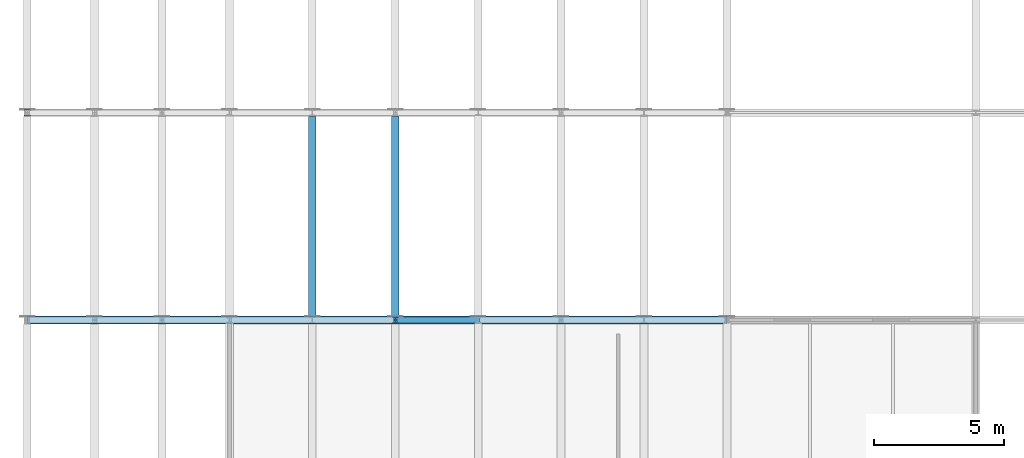
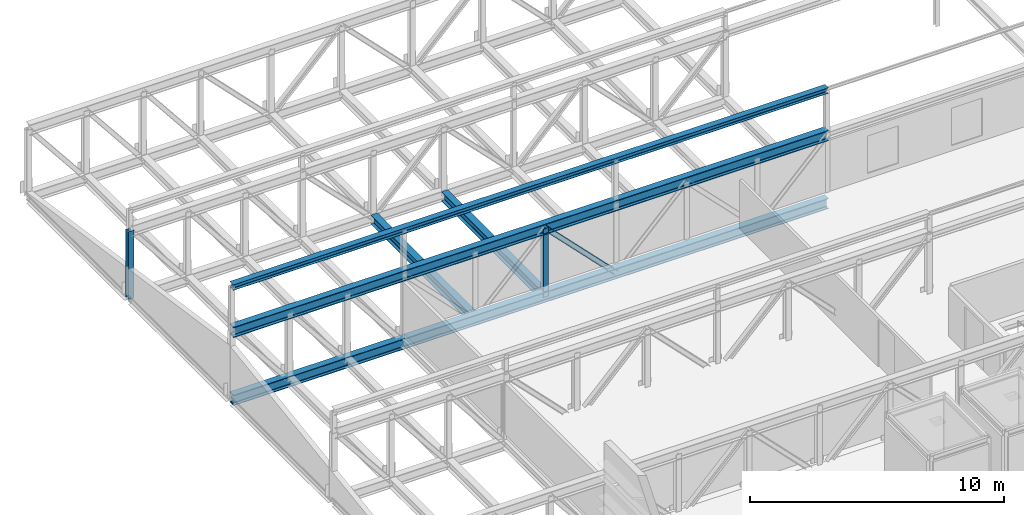
# One storey, part 17 of 34: 5 beams, 3 members.
"""IFC4 building model written with IfcOpenShell, lengths in metres."""

import ifcopenshell
import ifcopenshell.guid

model = None  # the IFC model being written
_history = None  # IfcOwnerHistory: only IFC2X3 demands one
_inside = {}  # id of a spatial element -> (the spatial element, [elements in it])
_under = {}  # id of a project, library or spatial element -> (it, [spatial elements below it])
_declared = {}  # id of a project -> (the project, [libraries it declares])
_typed = {}  # id of a type object -> (the type object, [elements of that type])
_made_of = {}  # id of a material, layer set ... -> (it, [elements and type objects made of it])


def new_model(schema):
    """Start an empty IFC model of exactly this schema.

    Asked for "IFC4X3", IfcOpenShell would pick the latest addendum, in which some entities
    have other attributes; the version numbers below select the first issue.
    IFC2X3 requires an IfcOwnerHistory on every rooted entity: one is made here for all.
    """
    global model, _history
    if schema == "IFC4X3":
        model = ifcopenshell.file(schema_version=(4, 3, 0, 0))
    else:
        model = ifcopenshell.file(schema=schema)
    _inside.clear()
    _under.clear()
    _declared.clear()
    _typed.clear()
    _made_of.clear()
    _history = None
    if model.schema == "IFC2X3":
        org = make("IfcOrganization", Name="unknown")
        user = make(
            "IfcPersonAndOrganization",
            ThePerson=make("IfcPerson", FamilyName="unknown"),
            TheOrganization=org,
        )
        app = make(
            "IfcApplication",
            ApplicationDeveloper=org,
            Version="unknown",
            ApplicationFullName="unknown",
            ApplicationIdentifier="unknown",
        )
        _history = make(
            "IfcOwnerHistory",
            OwningUser=user,
            OwningApplication=app,
            ChangeAction="ADDED",
            CreationDate=0,
        )
    return model


def make(cls, **values):
    """One entity of the class cls with the attributes given. An attribute that is None is left unset."""
    return model.create_entity(
        cls, **{name: value for name, value in values.items() if value is not None}
    )


def rooted(cls, **values):
    """An entity with a GlobalId (a new one), such as an element, a storey or a relation."""
    return make(cls, GlobalId=ifcopenshell.guid.new(), OwnerHistory=_history, **values)


def si_unit(unit_type, name, prefix=None):
    """IfcSIUnit, for example si_unit("LENGTHUNIT", "METRE", prefix="MILLI")."""
    return make("IfcSIUnit", UnitType=unit_type, Prefix=prefix, Name=name)


def assignment(units):
    """IfcUnitAssignment: the units of a project."""
    return None if units is None else make("IfcUnitAssignment", Units=units)


def point(xyz):
    """IfcCartesianPoint."""
    return None if xyz is None else make("IfcCartesianPoint", Coordinates=xyz)


def direction(xyz):
    """IfcDirection."""
    return None if xyz is None else make("IfcDirection", DirectionRatios=xyz)


def frame(location, z_axis=None, x_axis=None):
    """IfcAxis2Placement3D, a coordinate frame: its origin and axes. An axis left out is left unset."""
    return make(
        "IfcAxis2Placement3D",
        Location=point(location),
        Axis=direction(z_axis),
        RefDirection=direction(x_axis),
    )


def frame_2d(location, x_axis=None):
    """IfcAxis2Placement2D, a coordinate frame in the plane: its origin and x axis."""
    return make(
        "IfcAxis2Placement2D", Location=point(location), RefDirection=direction(x_axis)
    )


def origin():
    """The frame at (0, 0, 0) with its axes left unset."""
    return frame((0.0, 0.0, 0.0))


def origin_2d():
    """The frame at (0, 0) in the plane with its x axis left unset."""
    return frame_2d((0.0, 0.0))


def place(relative_to, where):
    """IfcLocalPlacement: puts the frame where relative to a parent placement (None: the world)."""
    return make(
        "IfcLocalPlacement", PlacementRelTo=relative_to, RelativePlacement=where
    )


def context(
    kind, dimensions, precision=None, world=None, true_north=None, identifier=None
):
    """IfcGeometricRepresentationContext, for example the 3D "Model" context."""
    return make(
        "IfcGeometricRepresentationContext",
        ContextIdentifier=identifier,
        ContextType=kind,
        CoordinateSpaceDimension=dimensions,
        Precision=precision,
        WorldCoordinateSystem=world,
        TrueNorth=true_north,
    )


def subcontext(parent, identifier, kind, view, scale=None):
    """IfcGeometricRepresentationSubContext, for example "Body" below "Model"."""
    return make(
        "IfcGeometricRepresentationSubContext",
        ContextIdentifier=identifier,
        ContextType=kind,
        ParentContext=parent,
        TargetScale=scale,
        TargetView=view,
    )


def project(units=None, contexts=None):
    """IfcProject with its units and contexts."""
    return rooted(
        "IfcProject",
        Name="project",
        RepresentationContexts=contexts,
        UnitsInContext=assignment(units),
    )


def spatial(cls, under=None, at=None, **own):
    """A site, building, storey or space (cls), placed at a placement, below another one or the project."""
    s = rooted(cls, ObjectPlacement=at, **own)
    if under is not None:
        _under.setdefault(under.id(), (under, []))[1].append(s)
    return s


def profile(cls, at=None, kind="AREA", **sizes):
    """A parametric profile (cls). Its sizes go by their IFC names, for example OverallWidth=200.0."""
    return make(cls, ProfileType=kind, Position=at, **sizes)


def i_section(**sizes):
    """IfcIShapeProfileDef."""
    return profile("IfcIShapeProfileDef", **sizes)


def extrude(swept, where, along, depth):
    """IfcExtrudedAreaSolid: the profile swept, set in the frame where, extruded along a direction by depth."""
    return make(
        "IfcExtrudedAreaSolid",
        SweptArea=swept,
        Position=where,
        ExtrudedDirection=direction(along),
        Depth=depth,
    )


def shape(context_of_items, identifier, shape_type, items):
    """IfcShapeRepresentation: the items that make up one representation, for example the "Body"."""
    return make(
        "IfcShapeRepresentation",
        ContextOfItems=context_of_items,
        RepresentationIdentifier=identifier,
        RepresentationType=shape_type,
        Items=items,
    )


def material(Name=None, Category=None):
    """IfcMaterial."""
    return make("IfcMaterial", Name=Name, Category=Category)


def material_profile(
    of_material, cross_section, Name=None, Category=None, Priority=None
):
    """IfcMaterialProfile: a cross section and its material."""
    return make(
        "IfcMaterialProfile",
        Name=Name,
        Material=of_material,
        Profile=cross_section,
        Priority=Priority,
        Category=Category,
    )


def profile_set(profiles, Name=None, composite=None):
    """IfcMaterialProfileSet."""
    return make(
        "IfcMaterialProfileSet",
        Name=Name,
        MaterialProfiles=profiles,
        CompositeProfile=composite,
    )


def made_of(thing, what):
    """Note that an element or type object is made of a material, layer set ...; save() writes the relation."""
    if what is not None:
        _made_of.setdefault(what.id(), (what, []))[1].append(thing)
    return thing


def type_object(cls, material=None, **own):
    """A type object (cls), such as IfcWallType, which elements share."""
    return made_of(rooted(cls, **own), material)


def element(
    cls,
    number,
    at=None,
    inside=None,
    cuts=None,
    type_object=None,
    material=None,
    context=None,
    identifier="Body",
    shape_type=None,
    held_by="IfcProductDefinitionShape",
    body=None,
    shapes=None,
    **own,
):
    """One element of the class cls, such as IfcWall. Its Tag is "e" and its number.

    at: its placement. inside: the storey or other place that contains it. cuts: it is an
    opening in that element (IfcRelVoidsElement). A single representation is given by context,
    identifier, shape_type and body (its items); several are given by shapes. held_by: the class
    of the entity that holds the representations. save() writes the other relations.
    """
    e = rooted(cls, Tag="e%d" % number, ObjectPlacement=at, **own)
    if body is not None:
        shapes = [shape(context, identifier, shape_type, body)]
    if shapes is not None:
        e.Representation = make(held_by, Representations=shapes)
    if inside is not None:
        _inside.setdefault(inside.id(), (inside, []))[1].append(e)
    if cuts is not None:
        rooted(
            "IfcRelVoidsElement", RelatingBuildingElement=cuts, RelatedOpeningElement=e
        )
    if type_object is not None:
        _typed.setdefault(type_object.id(), (type_object, []))[1].append(e)
    return made_of(e, material)


def aggregate(whole, parts):
    """IfcRelAggregates: a whole, such as a stair, and the parts it consists of."""
    return rooted("IfcRelAggregates", RelatingObject=whole, RelatedObjects=parts)


def save(model, path):
    """Write the relations noted so far, then the file.

    IfcRelAggregates (storeys below a building ...), IfcRelContainedInSpatialStructure (elements
    in a storey), IfcRelDefinesByType, IfcRelAssociatesMaterial and IfcRelDeclares: one each for
    every whole, place, type object, material and project.
    """
    for whole, parts in _under.values():
        aggregate(whole, parts)
    for where, things in _inside.values():
        rooted(
            "IfcRelContainedInSpatialStructure",
            RelatedElements=things,
            RelatingStructure=where,
        )
    for kind, things in _typed.values():
        rooted("IfcRelDefinesByType", RelatedObjects=things, RelatingType=kind)
    for what, things in _made_of.values():
        rooted("IfcRelAssociatesMaterial", RelatedObjects=things, RelatingMaterial=what)
    for by, libraries in _declared.values():
        rooted("IfcRelDeclares", RelatingContext=by, RelatedDefinitions=libraries)
    model.write(path)


model = new_model("IFC4")

# Units and contexts
model_context = context("Model", 3, precision=1e-05, world=origin(), true_north=direction((0.0, 1.0)))
body_context = subcontext(model_context, "Body", "Model", "MODEL_VIEW")
ifc_project = project(units=[si_unit("LENGTHUNIT", "METRE"), si_unit("AREAUNIT", "SQUARE_METRE"), si_unit("VOLUMEUNIT", "CUBIC_METRE"), si_unit("PLANEANGLEUNIT", "RADIAN"), si_unit("MASSUNIT", "GRAM", prefix="KILO")], contexts=[model_context])

# Site, building, storey
site_placement = place(None, origin())
site = spatial("IfcSite", under=ifc_project, at=site_placement, CompositionType="ELEMENT")
building_placement = place(site_placement, origin())
building = spatial("IfcBuilding", under=site, at=building_placement, Name="Alderhovde Museum", CompositionType="ELEMENT")
storey_placement = place(building_placement, frame((0.0, 0.0, 25.800048828125)))
storey = spatial("IfcBuildingStorey", under=building, at=storey_placement, Name="L05", CompositionType="ELEMENT", Elevation=25.800048828125)

# Beams
ifc_material_1 = material(Name="Steel S355J2", Category="steel")
ifc_material_profile_1 = material_profile(ifc_material_1, i_section(OverallWidth=0.280029296875, OverallDepth=0.27001953125, WebThickness=0.008056640625, FlangeThickness=0.012939453125, FilletRadius=0.02392578125, at=origin_2d()), Name="HEA 280")
ifc_profile_set_1 = profile_set([ifc_material_profile_1], Name="Steel S355J2")
beam_type_1 = type_object("IfcBeamType", Name="BM-HEA280", PredefinedType="BEAM", material=ifc_profile_set_1)
beam_placement = place(storey_placement, frame((1.800048828125, 96.0, 4.89990234375), z_axis=(1.0, 0.0, 0.0), x_axis=(0.0, 1.0, 0.0)))
element("IfcBeam", 1, at=beam_placement, inside=storey, type_object=beam_type_1, Name="Cantilever Wing Roof Beam Y=96 (1.8 TO 28.8)", PredefinedType="BEAM", context=body_context, shape_type="SweptSolid", body=[
    extrude(i_section(OverallWidth=0.280029296875, OverallDepth=0.27001953125, WebThickness=0.008056640625, FlangeThickness=0.012939453125, FilletRadius=0.02392578125, at=origin_2d()), origin(), (0.0, 0.0, 1.0), 27.0),
])
ifc_material_2 = material(Name="Steel S355J2", Category="steel")
ifc_material_profile_2 = material_profile(ifc_material_2, i_section(OverallWidth=0.300048828125, OverallDepth=0.43994140625, WebThickness=0.011474609375, FlangeThickness=0.02099609375, FilletRadius=0.027099609375, at=origin_2d()), Name="HEA 450")
ifc_profile_set_2 = profile_set([ifc_material_profile_2], Name="Steel S355J2")
beam_type_2 = type_object("IfcBeamType", Name="BM-HEA450", PredefinedType="BEAM", material=ifc_profile_set_2)
for number, where, z_axis, x_axis, name in (
    (2, (12.800048828125, 96.14990234375, -0.47998046875), (0.0, 1.0, 0.0), (-1.0, 0.0, 0.0), "L05 Transfer Transverse Beam X=12.8"),
    (3, (16.0, 96.14990234375, -0.47998046875), (0.0, 1.0, 0.0), (-1.0, 0.0, 0.0), "L05 Transfer Transverse Beam X=16.0"),
):
    element("IfcBeam", number, at=place(storey_placement, frame(where, z_axis=z_axis, x_axis=x_axis)), inside=storey, type_object=beam_type_2, Name=name, PredefinedType="BEAM", context=body_context, shape_type="SweptSolid", body=[
        extrude(i_section(OverallWidth=0.300048828125, OverallDepth=0.43994140625, WebThickness=0.011474609375, FlangeThickness=0.02099609375, FilletRadius=0.027099609375, at=origin_2d()), origin(), (0.0, 0.0, 1.0), 7.7001953125),
    ])
ifc_material_3 = material(Name="Steel S355J2", Category="steel")
ifc_material_profile_3 = material_profile(ifc_material_3, i_section(OverallWidth=0.300048828125, OverallDepth=0.5, WebThickness=0.014404296875, FlangeThickness=0.028076171875, FilletRadius=0.027099609375, at=origin_2d()), Name="HEB 500")
ifc_profile_set_3 = profile_set([ifc_material_profile_3], Name="Steel S355J2")
beam_type_3 = type_object("IfcBeamType", Name="BM-HEB500", PredefinedType="BEAM", material=ifc_profile_set_3)
for number, where, z_axis, x_axis, name in (
    (4, (1.800048828125, 96.0, -0.510009765625), (1.0, 0.0, 0.0), (0.0, 1.0, 0.0), "Transfer Truss Y=96 FLR5 Continuous Chord"),
    (5, (1.800048828125, 96.0, 2.75), (1.0, 0.0, 0.0), (0.0, 1.0, 0.0), "Transfer Truss Y=96 TOP Continuous Chord"),
):
    element("IfcBeam", number, at=place(storey_placement, frame(where, z_axis=z_axis, x_axis=x_axis)), inside=storey, type_object=beam_type_3, Name=name, PredefinedType="BEAM", context=body_context, shape_type="SweptSolid", body=[
        extrude(i_section(OverallWidth=0.300048828125, OverallDepth=0.5, WebThickness=0.014404296875, FlangeThickness=0.028076171875, FilletRadius=0.027099609375, at=origin_2d()), origin(), (0.0, 0.0, 1.0), 27.0),
    ])

# Members
ifc_material_4 = material(Name="Steel S355J2", Category="steel")
ifc_material_profile_4 = material_profile(ifc_material_4, i_section(OverallWidth=0.219970703125, OverallDepth=0.2099609375, WebThickness=0.007080078125, FlangeThickness=0.010986328125, FilletRadius=0.01806640625, at=origin_2d()), Name="HEA 220")
ifc_profile_set_4 = profile_set([ifc_material_profile_4], Name="Steel S355J2")
member_type_1 = type_object("IfcMemberType", Name="TR-DG-HEA220", PredefinedType="RAFTER", material=ifc_profile_set_4)
member_placement = place(storey_placement, frame((16.0, 96.0, 2.75), z_axis=(0.700502499188, 0.0, -0.713649948246), x_axis=(0.0, 1.0, 0.0)))
element("IfcMember", 6, at=member_placement, inside=storey, type_object=member_type_1, Name="Transfer Truss Y=96 T3 Diagonal 6", PredefinedType="RAFTER", context=body_context, shape_type="SweptSolid", body=[
    extrude(i_section(OverallWidth=0.219970703125, OverallDepth=0.2099609375, WebThickness=0.007080078125, FlangeThickness=0.010986328125, FilletRadius=0.01806640625, at=origin_2d()), origin(), (0.0, 0.0, 1.0), 4.568115234375),
])
ifc_material_5 = material(Name="Steel S355J2", Category="steel")
ifc_material_profile_5 = material_profile(ifc_material_5, i_section(OverallWidth=0.239990234375, OverallDepth=0.22998046875, WebThickness=0.007568359375, FlangeThickness=0.011962890625, FilletRadius=0.02099609375, at=origin_2d()), Name="HEA 240")
ifc_profile_set_5 = profile_set([ifc_material_profile_5], Name="Steel S355J2")
member_type_2 = type_object("IfcMemberType", Name="TR-PS-HEA240", PredefinedType="POST", material=ifc_profile_set_5)
for number, where, z_axis, x_axis, name in (
    (7, (16.0, 96.0, -0.510009765625), (0.0, 0.0, 1.0), (1.0, 0.0, 0.0), "Transfer Truss Y=96 T3 Post 6"),
    (8, (1.800048828125, 104.0, -0.510009765625), (0.0, 0.0, 1.0), (1.0, 0.0, 0.0), "Transfer Truss Y=104 T3 Post 1"),
):
    element("IfcMember", number, at=place(storey_placement, frame(where, z_axis=z_axis, x_axis=x_axis)), inside=storey, type_object=member_type_2, Name=name, PredefinedType="POST", context=body_context, shape_type="SweptSolid", body=[
        extrude(i_section(OverallWidth=0.239990234375, OverallDepth=0.22998046875, WebThickness=0.007568359375, FlangeThickness=0.011962890625, FilletRadius=0.02099609375, at=origin_2d()), origin(), (0.0, 0.0, 1.0), 3.260009765625),
    ])

save(model, "model.ifc")
